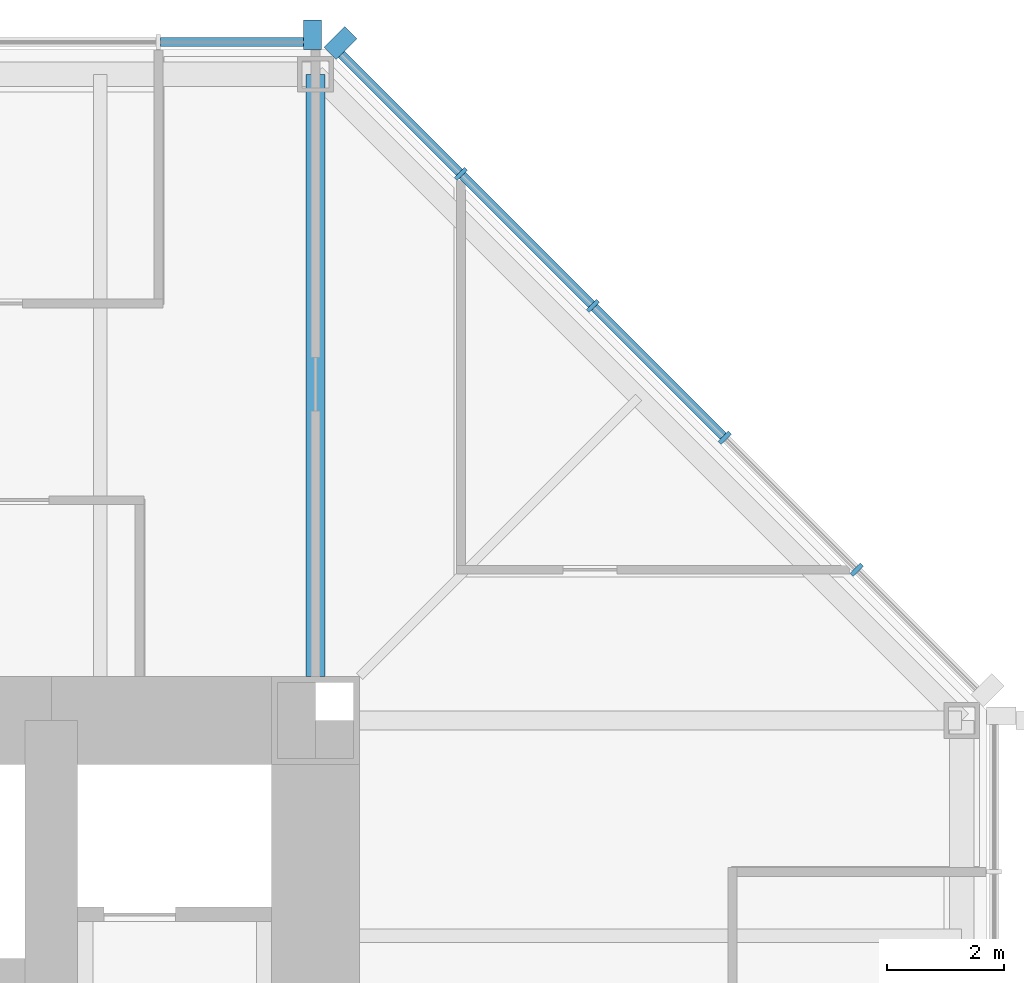
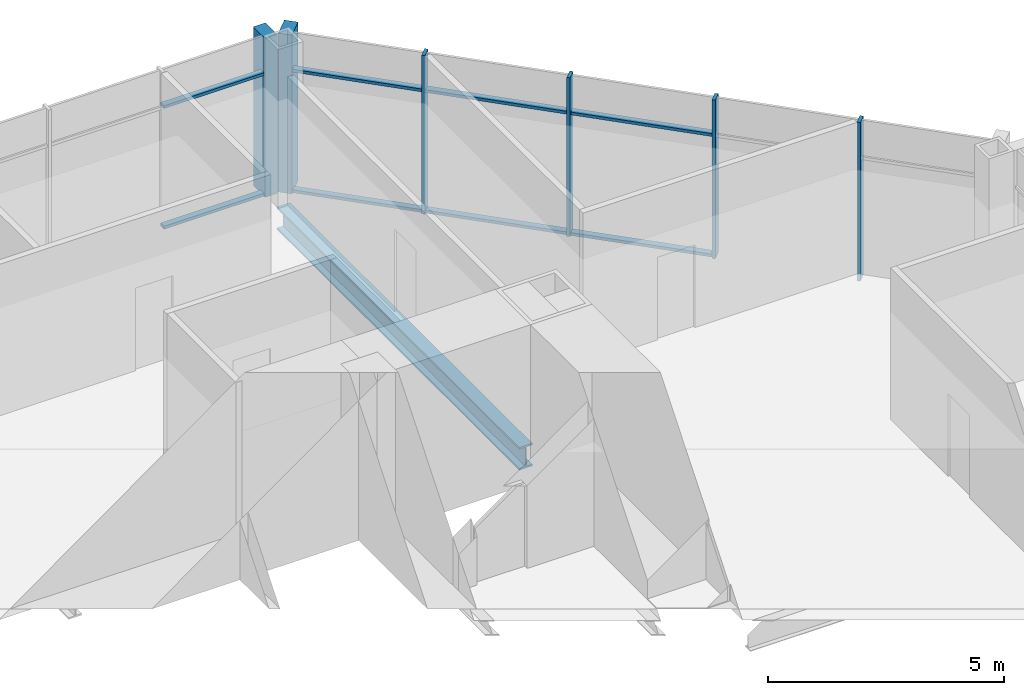
# One storey, part 6 of 12: 14 members, 1 beam, 2 elements without a shape of their own.
"""IFC4 building model written with IfcOpenShell, lengths in metres."""

from ifc_helpers import new_model, si_unit, direction, frame, origin, origin_2d, place, context, subcontext, project, spatial, rectangle, i_section, extrude, material, material_profile, profile_set, type_object, element, aggregate, save


model = new_model("IFC4")

# Units and contexts
model_context = context("Model", 3, precision=1e-05, world=origin(), true_north=direction((0.0, 1.0)))
body_context = subcontext(model_context, "Body", "Model", "MODEL_VIEW")
ifc_project = project(units=[si_unit("LENGTHUNIT", "METRE"), si_unit("AREAUNIT", "SQUARE_METRE"), si_unit("VOLUMEUNIT", "CUBIC_METRE"), si_unit("PLANEANGLEUNIT", "RADIAN"), si_unit("MASSUNIT", "GRAM", prefix="KILO")], contexts=[model_context])

# Site, building, storey
site_placement = place(None, origin())
site = spatial("IfcSite", under=ifc_project, at=site_placement, CompositionType="ELEMENT")
building_placement = place(site_placement, origin())
building = spatial("IfcBuilding", under=site, at=building_placement, Name="Trevanion Tower", CompositionType="ELEMENT")
storey_placement = place(building_placement, frame((0.0, 0.0, 154.10009765625)))
storey = spatial("IfcBuildingStorey", under=building, at=storey_placement, Name="L36", CompositionType="ELEMENT", Elevation=154.10009765625)

# Curtain wall, members
ifc_material_1 = material(Name="Aluminium and glass", Category="aluminium")
curtain_wall_type = type_object("IfcCurtainWallType", Name="CW2 curtain wall", PredefinedType="USERDEFINED", material=ifc_material_1)
curtain_wall_1_placement = place(storey_placement, origin())
curtain_wall_1 = element("IfcCurtainWall", 1, at=curtain_wall_1_placement, inside=storey, type_object=curtain_wall_type, Name="CW2 L36 1", ObjectType="UNITISED CURTAIN WALL", PredefinedType="USERDEFINED")
ifc_material_2 = material(Name="Aluminium extrusion, anodised bronze", Category="aluminium")
ifc_material_profile_1 = material_profile(ifc_material_2, rectangle(XDim=0.074951171875, YDim=0.25, at=origin_2d()), Name="CW2 mullion")
ifc_profile_set_1 = profile_set([ifc_material_profile_1], Name="Aluminium extrusion, anodised bronze")
member_type_1 = type_object("IfcMemberType", Name="CW2 mullion", PredefinedType="MULLION", material=ifc_profile_set_1)
member_1_placement = place(storey_placement, frame((20.2119140625, 13.56591796875, -0.190185546875), z_axis=(0.0, 0.0, 1.0), x_axis=(-0.707106781187, 0.707106781187, 0.0)))
member_1 = element("IfcMember", 2, at=member_1_placement, type_object=member_type_1, Name="CW2 mullion 2", PredefinedType="MULLION", context=body_context, shape_type="SweptSolid", body=[
    extrude(rectangle(XDim=0.074951171875, YDim=0.25, at=origin_2d()), origin(), (0.0, 0.0, 1.0), 4.10009765625),
])
member_2_placement = place(storey_placement, frame((17.966064453125, 15.811767578125, -0.190185546875), z_axis=(0.0, 0.0, 1.0), x_axis=(-0.707106781187, 0.707106781187, 0.0)))
member_2 = element("IfcMember", 3, at=member_2_placement, type_object=member_type_1, Name="CW2 mullion 3", PredefinedType="MULLION", context=body_context, shape_type="SweptSolid", body=[
    extrude(rectangle(XDim=0.074951171875, YDim=0.25, at=origin_2d()), origin(), (0.0, 0.0, 1.0), 4.10009765625),
])
member_3_placement = place(storey_placement, frame((15.719970703125, 18.057861328125, -0.190185546875), z_axis=(0.0, 0.0, 1.0), x_axis=(-0.707106781187, 0.707106781187, 0.0)))
member_3 = element("IfcMember", 4, at=member_3_placement, type_object=member_type_1, Name="CW2 mullion 4", PredefinedType="MULLION", context=body_context, shape_type="SweptSolid", body=[
    extrude(rectangle(XDim=0.074951171875, YDim=0.25, at=origin_2d()), origin(), (0.0, 0.0, 1.0), 4.10009765625),
])
member_4_placement = place(storey_placement, frame((13.473876953125, 20.303955078125, -0.190185546875), z_axis=(0.0, 0.0, 1.0), x_axis=(-0.707106781187, 0.707106781187, 0.0)))
member_4 = element("IfcMember", 5, at=member_4_placement, type_object=member_type_1, Name="CW2 mullion 5", PredefinedType="MULLION", context=body_context, shape_type="SweptSolid", body=[
    extrude(rectangle(XDim=0.074951171875, YDim=0.25, at=origin_2d()), origin(), (0.0, 0.0, 1.0), 4.10009765625),
])
ifc_material_3 = material(Name="Aluminium extrusion, anodised bronze", Category="aluminium")
ifc_material_profile_2 = material_profile(ifc_material_3, rectangle(XDim=0.300048828125, YDim=0.5, at=origin_2d()), Name="CW2 pier mullion")
ifc_profile_set_2 = profile_set([ifc_material_profile_2], Name="Aluminium extrusion, anodised bronze")
member_type_2 = type_object("IfcMemberType", Name="CW2 pier mullion", PredefinedType="MULLION", material=ifc_profile_set_2)
member_5_placement = place(storey_placement, frame((11.42236328125, 22.5322265625, -0.190185546875), z_axis=(0.0, 0.0, 1.0), x_axis=(-0.707106781187, 0.707106781187, 0.0)))
member_5 = element("IfcMember", 6, at=member_5_placement, type_object=member_type_2, Name="CW2 pier mullion 6", PredefinedType="MULLION", context=body_context, shape_type="SweptSolid", body=[
    extrude(rectangle(XDim=0.300048828125, YDim=0.5, at=origin_2d()), origin(), (0.0, 0.0, 1.0), 4.10009765625),
])

# Curtain wall, member
curtain_wall_2_placement = place(storey_placement, origin())
curtain_wall_2 = element("IfcCurtainWall", 7, at=curtain_wall_2_placement, inside=storey, type_object=curtain_wall_type, Name="CW2 L36 2", ObjectType="UNITISED CURTAIN WALL", PredefinedType="USERDEFINED")
member_6_placement = place(storey_placement, frame((10.94775390625, 22.675048828125, -0.190185546875), z_axis=(0.0, 0.0, 1.0), x_axis=(-1.0, 0.0, 0.0)))
member_6 = element("IfcMember", 8, at=member_6_placement, type_object=member_type_2, Name="CW2 pier mullion 1", PredefinedType="MULLION", context=body_context, shape_type="SweptSolid", body=[
    extrude(rectangle(XDim=0.300048828125, YDim=0.5, at=origin_2d()), origin(), (0.0, 0.0, 1.0), 4.10009765625),
])

# Member
ifc_material_4 = material(Name="Aluminium extrusion, anodised bronze", Category="aluminium")
ifc_material_profile_3 = material_profile(ifc_material_4, rectangle(XDim=0.14990234375, YDim=0.074951171875, at=origin_2d()), Name="CW2 transom")
ifc_profile_set_3 = profile_set([ifc_material_profile_3], Name="Aluminium extrusion, anodised bronze")
member_type_3 = type_object("IfcMemberType", Name="CW2 transom", PredefinedType="USERDEFINED", material=ifc_profile_set_3)
member_7_placement = place(storey_placement, frame((17.939453125, 15.83837890625, -0.152587890625), z_axis=(-0.707106781187, 0.707106781187, 0.0), x_axis=(-0.707106781187, -0.707106781187, 0.0)))
member_7 = element("IfcMember", 9, at=member_7_placement, type_object=member_type_3, Name="CW2 transom 3.1", ObjectType="TRANSOM", PredefinedType="USERDEFINED", context=body_context, shape_type="SweptSolid", body=[
    extrude(rectangle(XDim=0.14990234375, YDim=0.074951171875, at=origin_2d()), origin(), (0.0, 0.0, 1.0), 3.1015625),
])

member_8_placement = place(storey_placement, frame((17.939453125, 15.83837890625, 2.9599609375), z_axis=(-0.707106781187, 0.707106781187, 0.0), x_axis=(-0.707106781187, -0.707106781187, 0.0)))
member_8 = element("IfcMember", 10, at=member_8_placement, type_object=member_type_3, Name="CW2 transom 3.2", ObjectType="TRANSOM", PredefinedType="USERDEFINED", context=body_context, shape_type="SweptSolid", body=[
    extrude(rectangle(XDim=0.14990234375, YDim=0.074951171875, at=origin_2d()), origin(), (0.0, 0.0, 1.0), 3.1015625),
])

member_9_placement = place(storey_placement, frame((15.693359375, 18.08447265625, -0.152587890625), z_axis=(-0.707106781187, 0.707106781187, 0.0), x_axis=(-0.707106781187, -0.707106781187, 0.0)))
member_9 = element("IfcMember", 11, at=member_9_placement, type_object=member_type_3, Name="CW2 transom 4.1", ObjectType="TRANSOM", PredefinedType="USERDEFINED", context=body_context, shape_type="SweptSolid", body=[
    extrude(rectangle(XDim=0.14990234375, YDim=0.074951171875, at=origin_2d()), origin(), (0.0, 0.0, 1.0), 3.10107421875),
])

member_10_placement = place(storey_placement, frame((15.693359375, 18.08447265625, 2.9599609375), z_axis=(-0.707106781187, 0.707106781187, 0.0), x_axis=(-0.707106781187, -0.707106781187, 0.0)))
member_10 = element("IfcMember", 12, at=member_10_placement, type_object=member_type_3, Name="CW2 transom 4.2", ObjectType="TRANSOM", PredefinedType="USERDEFINED", context=body_context, shape_type="SweptSolid", body=[
    extrude(rectangle(XDim=0.14990234375, YDim=0.074951171875, at=origin_2d()), origin(), (0.0, 0.0, 1.0), 3.10107421875),
])

member_11_placement = place(storey_placement, frame((13.447509765625, 20.33056640625, -0.152587890625), z_axis=(-0.707149778163, 0.707063781595, 0.0), x_axis=(-0.707063781595, -0.707149778163, 0.0)))
member_11 = element("IfcMember", 13, at=member_11_placement, type_object=member_type_3, Name="CW2 transom 5.1", ObjectType="TRANSOM", PredefinedType="USERDEFINED", context=body_context, shape_type="SweptSolid", body=[
    extrude(rectangle(XDim=0.14990234375, YDim=0.074951171875, at=origin_2d()), origin(), (0.0, 0.0, 1.0), 2.8388671875),
])

member_12_placement = place(storey_placement, frame((13.447509765625, 20.33056640625, 2.9599609375), z_axis=(-0.707149778163, 0.707063781595, 0.0), x_axis=(-0.707063781595, -0.707149778163, 0.0)))
member_12 = element("IfcMember", 14, at=member_12_placement, type_object=member_type_3, Name="CW2 transom 5.2", ObjectType="TRANSOM", PredefinedType="USERDEFINED", context=body_context, shape_type="SweptSolid", body=[
    extrude(rectangle(XDim=0.14990234375, YDim=0.074951171875, at=origin_2d()), origin(), (0.0, 0.0, 1.0), 2.8388671875),
])

aggregate(curtain_wall_1, [member_1, member_2, member_3, member_4, member_5, member_7, member_8, member_9, member_10, member_11, member_12])

member_13_placement = place(storey_placement, frame((10.7978515625, 22.550048828125, -0.152587890625), z_axis=(-1.0, 0.0, 0.0), x_axis=(0.0, -1.0, 0.0)))
member_13 = element("IfcMember", 15, at=member_13_placement, type_object=member_type_3, Name="CW2 transom 1.1", ObjectType="TRANSOM", PredefinedType="USERDEFINED", context=body_context, shape_type="SweptSolid", body=[
    extrude(rectangle(XDim=0.14990234375, YDim=0.074951171875, at=origin_2d()), origin(), (0.0, 0.0, 1.0), 2.43701171875),
])

member_14_placement = place(storey_placement, frame((10.7978515625, 22.550048828125, 2.9599609375), z_axis=(-1.0, 0.0, 0.0), x_axis=(0.0, -1.0, 0.0)))
member_14 = element("IfcMember", 16, at=member_14_placement, type_object=member_type_3, Name="CW2 transom 1.2", ObjectType="TRANSOM", PredefinedType="USERDEFINED", context=body_context, shape_type="SweptSolid", body=[
    extrude(rectangle(XDim=0.14990234375, YDim=0.074951171875, at=origin_2d()), origin(), (0.0, 0.0, 1.0), 2.43701171875),
])

aggregate(curtain_wall_2, [member_6, member_13, member_14])

# Beam
ifc_material_5 = material(Name="Steel ASTM A992 Grade 50", Category="steel")
ifc_material_profile_4 = material_profile(ifc_material_5, i_section(OverallWidth=0.320068359375, OverallDepth=0.584228515625, WebThickness=0.023193359375, FlangeThickness=0.04150390625, at=origin_2d()), Name="W21X201")
ifc_profile_set_4 = profile_set([ifc_material_profile_4], Name="Steel ASTM A992 Grade 50")
beam_type = type_object("IfcBeamType", Name="G4 W21X201", PredefinedType="BEAM", material=ifc_profile_set_4)
beam_placement = place(storey_placement, frame((11.0, 11.75, -0.482177734375), z_axis=(0.0, 1.0, 0.0), x_axis=(-1.0, 0.0, 0.0)))
element("IfcBeam", 17, at=beam_placement, inside=storey, type_object=beam_type, Name="G4 L36", PredefinedType="BEAM", context=body_context, shape_type="SweptSolid", body=[
    extrude(i_section(OverallWidth=0.320068359375, OverallDepth=0.584228515625, WebThickness=0.023193359375, FlangeThickness=0.04150390625, at=origin_2d()), origin(), (0.0, 0.0, 1.0), 10.25),
])

save(model, "model.ifc")
